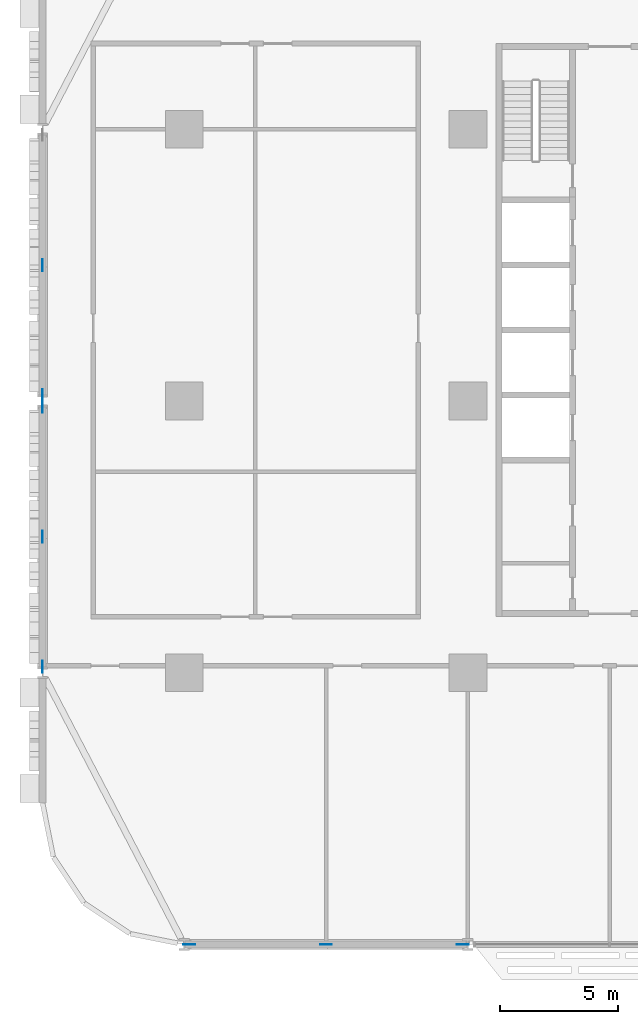
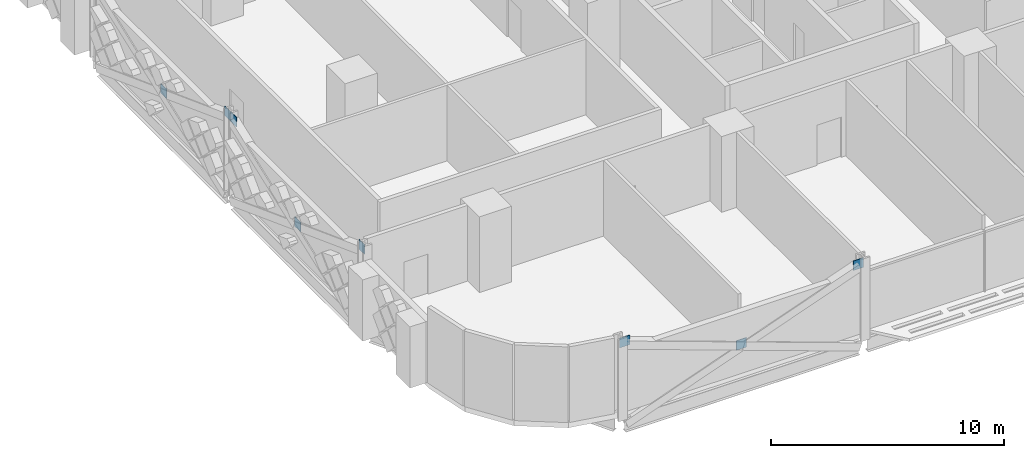
# One storey, part 17 of 29: 8 discrete accessories.
"""IFC4 building model written with IfcOpenShell, lengths in metres."""

from ifc_helpers import new_model, si_unit, direction, frame, origin, origin_2d, place, context, subcontext, project, spatial, rectangle, extrude, material, layer, layer_set, type_object, element, save


model = new_model("IFC4")

# Units and contexts
model_context = context("Model", 3, precision=1e-05, world=origin(), true_north=direction((0.0, 1.0)))
body_context = subcontext(model_context, "Body", "Model", "MODEL_VIEW")
ifc_project = project(units=[si_unit("LENGTHUNIT", "METRE"), si_unit("AREAUNIT", "SQUARE_METRE"), si_unit("VOLUMEUNIT", "CUBIC_METRE"), si_unit("PLANEANGLEUNIT", "RADIAN"), si_unit("MASSUNIT", "GRAM", prefix="KILO")], contexts=[model_context])

# Site, building, storey
site_placement = place(None, origin())
site = spatial("IfcSite", under=ifc_project, at=site_placement, CompositionType="ELEMENT")
building_placement = place(site_placement, origin())
building = spatial("IfcBuilding", under=site, at=building_placement, Name="Mahtab Terrace Research Tower", CompositionType="ELEMENT")
storey_placement = place(building_placement, frame((0.0, 0.0, 20.10009765625)))
storey = spatial("IfcBuildingStorey", under=building, at=storey_placement, Name="L04", CompositionType="ELEMENT", Elevation=20.10009765625)

# Discrete accessories
ifc_material = material(Name="Steel ASTM A992 Gr 50", Category="steel")
ifc_layer = layer(ifc_material, 0.030029296875)
ifc_layer_set = layer_set([ifc_layer], Name="Gusset plate 500x500x30")
discrete_accessory_type = type_object("IfcDiscreteAccessoryType", Name="Gusset plate 500x500x30", PredefinedType="USERDEFINED", material=ifc_layer_set)
for number, where, z_axis, x_axis, name in (
    (1, (-41.7841796875, -23.0, 3.331298828125), (0.0, 0.0, 1.0), (1.0, 0.0, 0.0), "Gusset plate"),
    (2, (-36.0, -23.0, 1.181396484375), (0.0, 0.0, 1.0), (1.0, 0.0, 0.0), "Gusset plate"),
    (3, (-30.2158203125, -23.0, 3.331298828125), (0.0, 0.0, 1.0), (1.0, 0.0, 0.0), "Gusset plate"),
    (4, (-48.0, -11.251220703125, 3.331298828125), (0.0, 0.0, 1.0), (0.0, 1.0, 0.0), "Gusset plate"),
    (5, (-48.0, -5.75, 1.181396484375), (0.0, 0.0, 1.0), (0.0, 1.0, 0.0), "Gusset plate"),
    (6, (-48.0, -0.248779296875, 3.331298828125), (0.0, 0.0, 1.0), (0.0, 1.0, 0.0), "Gusset plate"),
    (7, (-48.0, 0.248779296875, 3.331298828125), (0.0, 0.0, 1.0), (0.0, 1.0, 0.0), "Gusset plate"),
    (8, (-48.0, 5.75, 1.181396484375), (0.0, 0.0, 1.0), (0.0, 1.0, 0.0), "Gusset plate"),
):
    element("IfcDiscreteAccessory", number, at=place(storey_placement, frame(where, z_axis=z_axis, x_axis=x_axis)), inside=storey, type_object=discrete_accessory_type, Name=name, ObjectType="GUSSET PLATE", PredefinedType="USERDEFINED", context=body_context, shape_type="SweptSolid", body=[
        extrude(rectangle(XDim=0.5, YDim=0.030029296875, at=origin_2d()), origin(), (0.0, 0.0, 1.0), 0.5),
    ])

save(model, "model.ifc")
